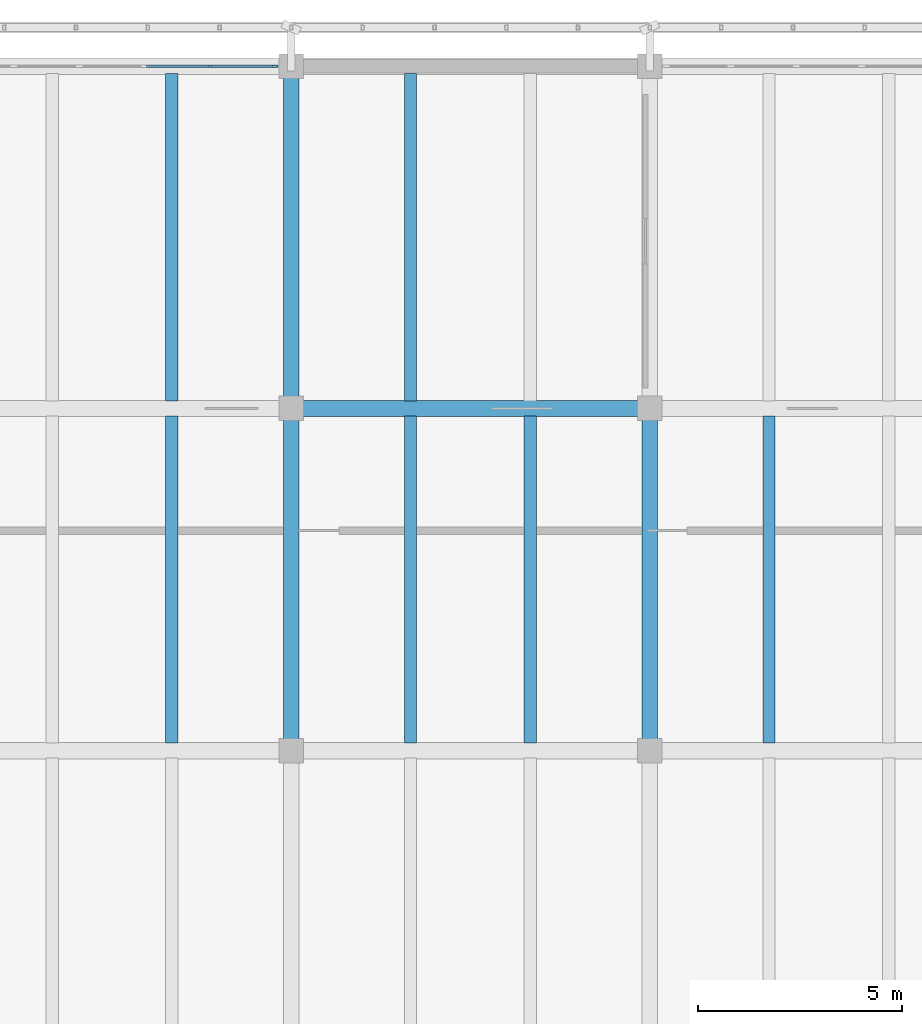
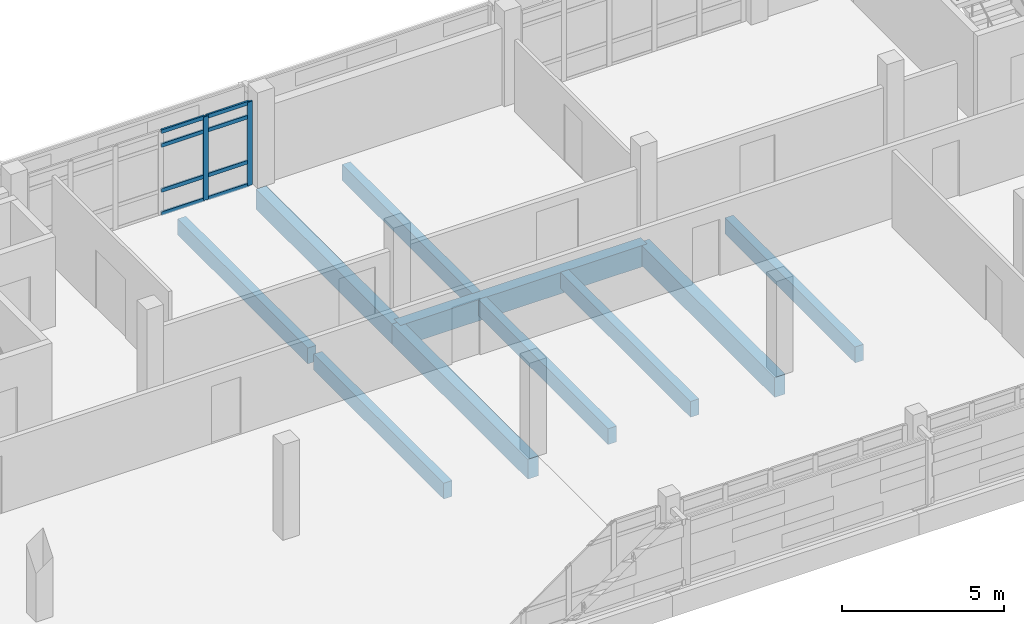
# One storey, part 25 of 50: 10 beams, 10 members, 1 element without a shape of its own.
"""IFC4 building model written with IfcOpenShell, lengths in metres."""

from ifc_helpers import new_model, si_unit, direction, frame, origin, origin_2d, place, context, subcontext, project, spatial, rectangle, extrude, material, material_profile, profile_set, type_object, element, aggregate, save


model = new_model("IFC4")

# Units and contexts
model_context = context("Model", 3, precision=1e-05, world=origin(), true_north=direction((0.0, 1.0)))
body_context = subcontext(model_context, "Body", "Model", "MODEL_VIEW")
ifc_project = project(units=[si_unit("LENGTHUNIT", "METRE"), si_unit("AREAUNIT", "SQUARE_METRE"), si_unit("VOLUMEUNIT", "CUBIC_METRE"), si_unit("PLANEANGLEUNIT", "RADIAN"), si_unit("MASSUNIT", "GRAM", prefix="KILO")], contexts=[model_context])

# Site, building, storey
site_placement = place(None, origin())
site = spatial("IfcSite", under=ifc_project, at=site_placement, CompositionType="ELEMENT")
building_placement = place(site_placement, origin())
building = spatial("IfcBuilding", under=site, at=building_placement, Name="Cinderway Yard Community Centre", CompositionType="ELEMENT")
storey_placement = place(building_placement, frame((0.0, 0.0, 12.89990234375)))
storey = spatial("IfcBuildingStorey", under=building, at=storey_placement, Name="L03", CompositionType="ELEMENT", Elevation=12.89990234375)

# Curtain wall, members
ifc_material_1 = material(Name="Aluminium 6063-T6", Category="aluminium")
curtain_wall_type = type_object("IfcCurtainWallType", Name="ENV-CW-TYPE-33", PredefinedType="USERDEFINED", material=ifc_material_1)
curtain_wall_placement = place(storey_placement, origin())
curtain_wall = element("IfcCurtainWall", 1, at=curtain_wall_placement, inside=storey, type_object=curtain_wall_type, Name="V4 Street Curtain Wall ENV-CW-L03-HS-0166", ObjectType="GLAZED CURTAIN WALL", PredefinedType="USERDEFINED")
ifc_material_profile_1 = material_profile(ifc_material_1, rectangle(XDim=0.06494140625, YDim=0.179931640625, at=origin_2d()), Name="Aluminium 6063-T6")
ifc_profile_set_1 = profile_set([ifc_material_profile_1], Name="Aluminium 6063-T6")
member_type_1 = type_object("IfcMemberType", Name="ENV-CW-MULL-180", PredefinedType="MULLION", material=ifc_profile_set_1)
member_1_placement = place(storey_placement, frame((90.81201171875, 115.199951171875, 0.0), z_axis=(0.0, 0.0, 1.0), x_axis=(0.0, 1.0, 0.0)))
member_1 = element("IfcMember", 2, at=member_1_placement, type_object=member_type_1, Name="CW-33 mullion 5", PredefinedType="MULLION", context=body_context, shape_type="SweptSolid", body=[
    extrude(rectangle(XDim=0.06494140625, YDim=0.179931640625, at=origin_2d()), origin(), (0.0, 0.0, 1.0), 3.150146484375),
])
member_2_placement = place(storey_placement, frame((92.389892578125, 115.199951171875, 0.0), z_axis=(0.0, 0.0, 1.0), x_axis=(0.0, 1.0, 0.0)))
member_2 = element("IfcMember", 3, at=member_2_placement, type_object=member_type_1, Name="CW-33 mullion 6", PredefinedType="MULLION", context=body_context, shape_type="SweptSolid", body=[
    extrude(rectangle(XDim=0.06494140625, YDim=0.179931640625, at=origin_2d()), origin(), (0.0, 0.0, 1.0), 3.150146484375),
])
ifc_material_profile_2 = material_profile(ifc_material_1, rectangle(XDim=0.06494140625, YDim=0.139892578125, at=origin_2d()), Name="Aluminium 6063-T6")
ifc_profile_set_2 = profile_set([ifc_material_profile_2], Name="Aluminium 6063-T6")
member_type_2 = type_object("IfcMemberType", Name="ENV-CW-TRAN-140", PredefinedType="USERDEFINED", material=ifc_profile_set_2)
member_3_placement = place(storey_placement, frame((89.23388671875, 115.199951171875, 0.030029296875), z_axis=(1.0, 0.0, 0.0), x_axis=(0.0, 1.0, 0.0)))
member_3 = element("IfcMember", 4, at=member_3_placement, type_object=member_type_2, Name="CW-33 transom 4.1", ObjectType="TRANSOM", PredefinedType="USERDEFINED", context=body_context, shape_type="SweptSolid", body=[
    extrude(rectangle(XDim=0.06494140625, YDim=0.139892578125, at=origin_2d()), origin(), (0.0, 0.0, 1.0), 1.548095703125),
])
member_4_placement = place(storey_placement, frame((89.23388671875, 115.199951171875, 0.900146484375), z_axis=(1.0, 0.0, 0.0), x_axis=(0.0, 1.0, 0.0)))
member_4 = element("IfcMember", 5, at=member_4_placement, type_object=member_type_2, Name="CW-33 transom 4.2", ObjectType="TRANSOM", PredefinedType="USERDEFINED", context=body_context, shape_type="SweptSolid", body=[
    extrude(rectangle(XDim=0.06494140625, YDim=0.139892578125, at=origin_2d()), origin(), (0.0, 0.0, 1.0), 1.548095703125),
])
member_5_placement = place(storey_placement, frame((89.23388671875, 115.199951171875, 2.60009765625), z_axis=(1.0, 0.0, 0.0), x_axis=(0.0, 1.0, 0.0)))
member_5 = element("IfcMember", 6, at=member_5_placement, type_object=member_type_2, Name="CW-33 transom 4.3", ObjectType="TRANSOM", PredefinedType="USERDEFINED", context=body_context, shape_type="SweptSolid", body=[
    extrude(rectangle(XDim=0.06494140625, YDim=0.139892578125, at=origin_2d()), origin(), (0.0, 0.0, 1.0), 1.548095703125),
])
member_6_placement = place(storey_placement, frame((89.23388671875, 115.199951171875, 3.1201171875), z_axis=(1.0, 0.0, 0.0), x_axis=(0.0, 1.0, 0.0)))
member_6 = element("IfcMember", 7, at=member_6_placement, type_object=member_type_2, Name="CW-33 transom 4.4", ObjectType="TRANSOM", PredefinedType="USERDEFINED", context=body_context, shape_type="SweptSolid", body=[
    extrude(rectangle(XDim=0.06494140625, YDim=0.139892578125, at=origin_2d()), origin(), (0.0, 0.0, 1.0), 1.548095703125),
])
member_7_placement = place(storey_placement, frame((90.842041015625, 115.199951171875, 0.030029296875), z_axis=(1.0, 0.0, 0.0), x_axis=(0.0, 1.0, 0.0)))
member_7 = element("IfcMember", 8, at=member_7_placement, type_object=member_type_2, Name="CW-33 transom 5.1", ObjectType="TRANSOM", PredefinedType="USERDEFINED", context=body_context, shape_type="SweptSolid", body=[
    extrude(rectangle(XDim=0.06494140625, YDim=0.139892578125, at=origin_2d()), origin(), (0.0, 0.0, 1.0), 1.51806640625),
])
member_8_placement = place(storey_placement, frame((90.842041015625, 115.199951171875, 0.900146484375), z_axis=(1.0, 0.0, 0.0), x_axis=(0.0, 1.0, 0.0)))
member_8 = element("IfcMember", 9, at=member_8_placement, type_object=member_type_2, Name="CW-33 transom 5.2", ObjectType="TRANSOM", PredefinedType="USERDEFINED", context=body_context, shape_type="SweptSolid", body=[
    extrude(rectangle(XDim=0.06494140625, YDim=0.139892578125, at=origin_2d()), origin(), (0.0, 0.0, 1.0), 1.51806640625),
])
member_9_placement = place(storey_placement, frame((90.842041015625, 115.199951171875, 2.60009765625), z_axis=(1.0, 0.0, 0.0), x_axis=(0.0, 1.0, 0.0)))
member_9 = element("IfcMember", 10, at=member_9_placement, type_object=member_type_2, Name="CW-33 transom 5.3", ObjectType="TRANSOM", PredefinedType="USERDEFINED", context=body_context, shape_type="SweptSolid", body=[
    extrude(rectangle(XDim=0.06494140625, YDim=0.139892578125, at=origin_2d()), origin(), (0.0, 0.0, 1.0), 1.51806640625),
])
member_10_placement = place(storey_placement, frame((90.842041015625, 115.199951171875, 3.1201171875), z_axis=(1.0, 0.0, 0.0), x_axis=(0.0, 1.0, 0.0)))
member_10 = element("IfcMember", 11, at=member_10_placement, type_object=member_type_2, Name="CW-33 transom 5.4", ObjectType="TRANSOM", PredefinedType="USERDEFINED", context=body_context, shape_type="SweptSolid", body=[
    extrude(rectangle(XDim=0.06494140625, YDim=0.139892578125, at=origin_2d()), origin(), (0.0, 0.0, 1.0), 1.51806640625),
])
aggregate(curtain_wall, [member_1, member_2, member_3, member_4, member_5, member_6, member_7, member_8, member_9, member_10])

# Beams
ifc_material_2 = material(Name="Concrete C35/45", Category="concrete")
ifc_material_profile_3 = material_profile(ifc_material_2, rectangle(XDim=0.300048828125, YDim=0.60009765625, at=origin_2d()), Name="Concrete C35/45")
ifc_profile_set_3 = profile_set([ifc_material_profile_3], Name="Concrete C35/45")
beam_type_1 = type_object("IfcBeamType", Name="STR-BM-RC300X600", PredefinedType="JOIST", material=ifc_profile_set_3)
beam_1_placement = place(storey_placement, frame((89.866943359375, 98.58203125, -0.539794921875), z_axis=(0.0, 1.0, 0.0), x_axis=(-1.0, 0.0, 0.0)))
element("IfcBeam", 12, at=beam_1_placement, inside=storey, type_object=beam_type_1, Name="Secondary joist STR-BM-L03-BJ02-0779", PredefinedType="JOIST", context=body_context, shape_type="SweptSolid", body=[
    extrude(rectangle(XDim=0.300048828125, YDim=0.60009765625, at=origin_2d()), origin(), (0.0, 0.0, 1.0), 8.035888671875),
])
beam_2_placement = place(storey_placement, frame((89.866943359375, 106.98193359375, -0.539794921875), z_axis=(0.0, 1.0, 0.0), x_axis=(-1.0, 0.0, 0.0)))
element("IfcBeam", 13, at=beam_2_placement, inside=storey, type_object=beam_type_1, Name="Secondary joist STR-BM-L03-BJ02-0781", PredefinedType="JOIST", context=body_context, shape_type="SweptSolid", body=[
    extrude(rectangle(XDim=0.300048828125, YDim=0.60009765625, at=origin_2d()), origin(), (0.0, 0.0, 1.0), 8.0361328125),
])
for number, where, z_axis, x_axis, name in (
    (14, (95.73291015625, 98.58203125, -0.539794921875), (0.0, 1.0, 0.0), (-1.0, 0.0, 0.0), "Secondary joist STR-BM-L03-BJ02-0784"),
    (15, (98.6669921875, 98.58203125, -0.539794921875), (0.0, 1.0, 0.0), (-1.0, 0.0, 0.0), "Secondary joist STR-BM-L03-BJ02-0785"),
):
    element("IfcBeam", number, at=place(storey_placement, frame(where, z_axis=z_axis, x_axis=x_axis)), inside=storey, type_object=beam_type_1, Name=name, PredefinedType="JOIST", context=body_context, shape_type="SweptSolid", body=[
        extrude(rectangle(XDim=0.300048828125, YDim=0.60009765625, at=origin_2d()), origin(), (0.0, 0.0, 1.0), 8.035888671875),
    ])
beam_3_placement = place(storey_placement, frame((95.73291015625, 106.98193359375, -0.539794921875), z_axis=(0.0, 1.0, 0.0), x_axis=(-1.0, 0.0, 0.0)))
element("IfcBeam", 16, at=beam_3_placement, inside=storey, type_object=beam_type_1, Name="Secondary joist STR-BM-L03-BJ02-0786", PredefinedType="JOIST", context=body_context, shape_type="SweptSolid", body=[
    extrude(rectangle(XDim=0.300048828125, YDim=0.60009765625, at=origin_2d()), origin(), (0.0, 0.0, 1.0), 8.0361328125),
])
beam_4_placement = place(storey_placement, frame((104.532958984375, 98.58203125, -0.539794921875), z_axis=(0.0, 1.0, 0.0), x_axis=(-1.0, 0.0, 0.0)))
element("IfcBeam", 17, at=beam_4_placement, inside=storey, type_object=beam_type_1, Name="Secondary joist STR-BM-L03-BJ02-0790", PredefinedType="JOIST", context=body_context, shape_type="SweptSolid", body=[
    extrude(rectangle(XDim=0.300048828125, YDim=0.60009765625, at=origin_2d()), origin(), (0.0, 0.0, 1.0), 8.035888671875),
])
ifc_material_profile_4 = material_profile(ifc_material_2, rectangle(XDim=0.3798828125, YDim=0.75, at=origin_2d()), Name="Concrete C35/45")
ifc_profile_set_4 = profile_set([ifc_material_profile_4], Name="Concrete C35/45")
beam_type_2 = type_object("IfcBeamType", Name="STR-BM-RC380X750", PredefinedType="BEAM", material=ifc_profile_set_4)
beam_5_placement = place(storey_placement, frame((92.800048828125, 98.39990234375, -0.614990234375), z_axis=(0.0, 1.0, 0.0), x_axis=(-1.0, 0.0, 0.0)))
element("IfcBeam", 18, at=beam_5_placement, inside=storey, type_object=beam_type_2, Name="Transverse girder STR-BM-L03-BG06-0733", PredefinedType="BEAM", context=body_context, shape_type="SweptSolid", body=[
    extrude(rectangle(XDim=0.3798828125, YDim=0.75, at=origin_2d()), origin(), (0.0, 0.0, 1.0), 8.400146484375),
])
beam_6_placement = place(storey_placement, frame((92.800048828125, 106.800048828125, -0.614990234375), z_axis=(0.0, 1.0, 0.0), x_axis=(-1.0, 0.0, 0.0)))
element("IfcBeam", 19, at=beam_6_placement, inside=storey, type_object=beam_type_2, Name="Transverse girder STR-BM-L03-BG06-0734", PredefinedType="BEAM", context=body_context, shape_type="SweptSolid", body=[
    extrude(rectangle(XDim=0.3798828125, YDim=0.75, at=origin_2d()), origin(), (0.0, 0.0, 1.0), 8.39990234375),
])
beam_7_placement = place(storey_placement, frame((101.60009765625, 98.39990234375, -0.614990234375), z_axis=(0.0, 1.0, 0.0), x_axis=(-1.0, 0.0, 0.0)))
element("IfcBeam", 20, at=beam_7_placement, inside=storey, type_object=beam_type_2, Name="Transverse girder STR-BM-L03-BG06-0736", PredefinedType="BEAM", context=body_context, shape_type="SweptSolid", body=[
    extrude(rectangle(XDim=0.3798828125, YDim=0.75, at=origin_2d()), origin(), (0.0, 0.0, 1.0), 8.400146484375),
])
ifc_material_3 = material(Name="Concrete C40/50", Category="concrete")
ifc_material_profile_5 = material_profile(ifc_material_3, rectangle(XDim=0.39990234375, YDim=0.800048828125, at=origin_2d()), Name="Concrete C40/50")
ifc_profile_set_5 = profile_set([ifc_material_profile_5], Name="Concrete C40/50")
beam_type_3 = type_object("IfcBeamType", Name="STR-BM-RC400X800", PredefinedType="BEAM", material=ifc_profile_set_5)
beam_8_placement = place(storey_placement, frame((92.800048828125, 106.800048828125, -0.639892578125), z_axis=(1.0, 0.0, 0.0), x_axis=(0.0, 1.0, 0.0)))
element("IfcBeam", 21, at=beam_8_placement, inside=storey, type_object=beam_type_3, Name="Primary girder STR-BM-L03-BG05-0698", PredefinedType="BEAM", context=body_context, shape_type="SweptSolid", body=[
    extrude(rectangle(XDim=0.39990234375, YDim=0.800048828125, at=origin_2d()), origin(), (0.0, 0.0, 1.0), 8.800048828125),
])

save(model, "model.ifc")
